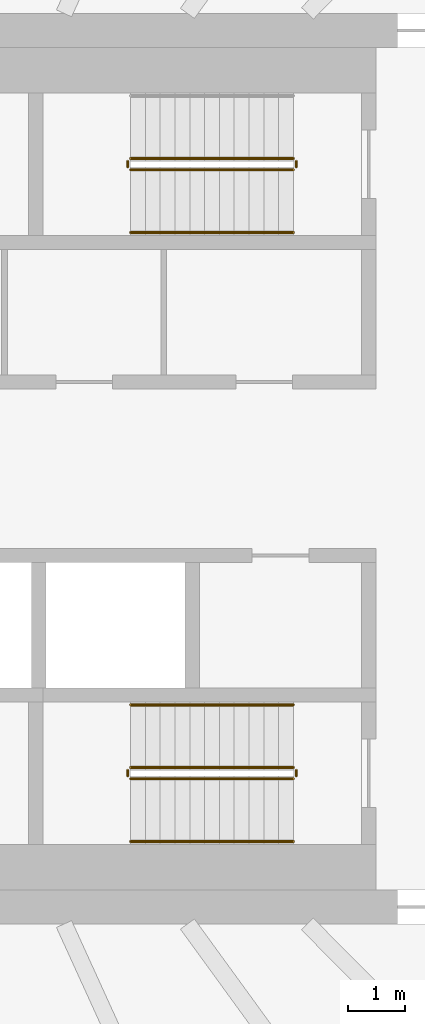
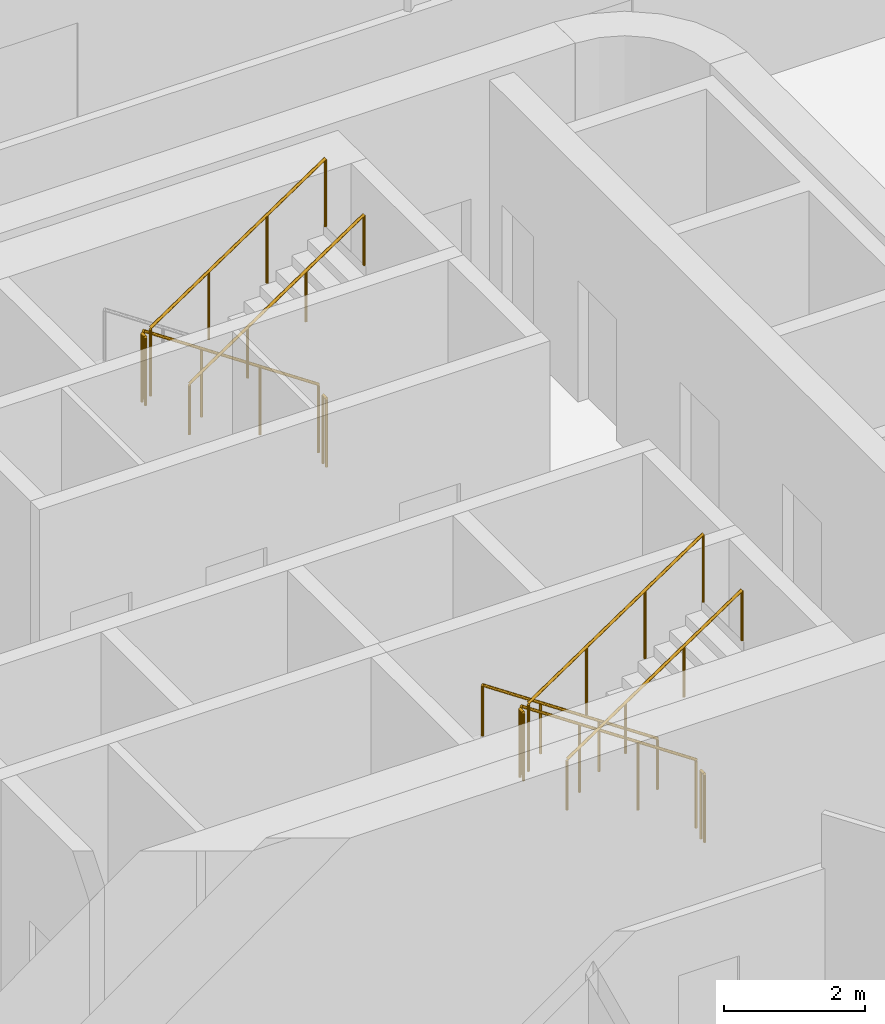
# One storey, part 23 of 25: 11 railings.
"""IFC4 building model written with IfcOpenShell, lengths in metres."""

from ifc_helpers import new_model, si_unit, direction, frame, origin, origin_2d, place, context, subcontext, project, spatial, circle, extrude, material, type_object, element, save


model = new_model("IFC4")

# Units and contexts
model_context = context("Model", 3, precision=1e-05, world=origin(), true_north=direction((0.0, 1.0)))
body_context = subcontext(model_context, "Body", "Model", "MODEL_VIEW")
ifc_project = project(units=[si_unit("LENGTHUNIT", "METRE"), si_unit("AREAUNIT", "SQUARE_METRE"), si_unit("VOLUMEUNIT", "CUBIC_METRE"), si_unit("PLANEANGLEUNIT", "RADIAN"), si_unit("MASSUNIT", "GRAM", prefix="KILO")], contexts=[model_context])

# Site, building, storey
site_placement = place(None, origin())
site = spatial("IfcSite", under=ifc_project, at=site_placement, CompositionType="ELEMENT")
building_placement = place(site_placement, origin())
building = spatial("IfcBuilding", under=site, at=building_placement, Name="Sahrelin Media Tower", CompositionType="ELEMENT")
storey_placement = place(building_placement, frame((0.0, 0.0, 106.199951171875)))
storey = spatial("IfcBuildingStorey", under=building, at=storey_placement, Name="L20", CompositionType="ELEMENT", Elevation=106.199951171875)

# Railings
ifc_material = material(Name="Steel S355", Category="steel")
railing_type_1 = type_object("IfcRailingType", Name="Stair guard 1200", PredefinedType="GUARDRAIL", material=ifc_material)
railing_1_placement = place(storey_placement, frame((7.675048828125, 5.449951171875, 0.175048828125)))
element("IfcRailing", 1, at=railing_1_placement, inside=storey, type_object=railing_type_1, Name="L20 ST3 stair guard 1", PredefinedType="GUARDRAIL", context=body_context, shape_type="SweptSolid", body=[
    extrude(circle(Radius=0.02392578125, at=origin_2d()), frame((0.0, 0.0, 1.17578125), z_axis=(-0.829590901723, 0.0, 0.558371682465), x_axis=(0.0, -1.0, 0.0)), (0.0, 0.0, 1.0), 3.447509765625),
    extrude(circle(Radius=0.02099609375, at=origin_2d()), origin(), (0.0, 0.0, 1.0), 1.15185546875),
    extrude(circle(Radius=0.02099609375, at=origin_2d()), frame((-0.953369140625, 0.0, 0.6416015625)), (0.0, 0.0, 1.0), 1.15185546875),
    extrude(circle(Radius=0.02099609375, at=origin_2d()), frame((-1.90673828125, 0.0, 1.283447265625)), (0.0, 0.0, 1.0), 1.15185546875),
    extrude(circle(Radius=0.02099609375, at=origin_2d()), frame((-2.860107421875, 0.0, 1.925048828125)), (0.0, 0.0, 1.0), 1.15185546875),
])
railing_2_placement = place(storey_placement, frame((4.764892578125, 5.39990234375, 2.10009765625)))
element("IfcRailing", 2, at=railing_2_placement, inside=storey, type_object=railing_type_1, Name="L20 ST3 stair guard 2", PredefinedType="GUARDRAIL", context=body_context, shape_type="SweptSolid", body=[
    extrude(circle(Radius=0.02392578125, at=origin_2d()), frame((0.0, 0.0, 1.17578125), z_axis=(0.0, -1.0, 0.0), x_axis=(1.0, 0.0, 0.0)), (0.0, 0.0, 1.0), 0.099853515625),
    extrude(circle(Radius=0.02099609375, at=origin_2d()), origin(), (0.0, 0.0, 1.0), 1.15185546875),
    extrude(circle(Radius=0.02099609375, at=origin_2d()), frame((0.0, -0.099853515625, 0.0)), (0.0, 0.0, 1.0), 1.15185546875),
])
railing_3_placement = place(storey_placement, frame((4.81494140625, 5.25, 2.275146484375)))
element("IfcRailing", 3, at=railing_3_placement, inside=storey, type_object=railing_type_1, Name="L20 ST3 stair guard 3", PredefinedType="GUARDRAIL", context=body_context, shape_type="SweptSolid", body=[
    extrude(circle(Radius=0.02392578125, at=origin_2d()), frame((0.0, 0.0, 1.17578125), z_axis=(0.829623704247, 0.0, 0.558322943601), x_axis=(0.0, 1.0, 0.0)), (0.0, 0.0, 1.0), 3.447509765625),
    extrude(circle(Radius=0.02099609375, at=origin_2d()), origin(), (0.0, 0.0, 1.0), 1.15185546875),
    extrude(circle(Radius=0.02099609375, at=origin_2d()), frame((0.953369140625, 0.0, 0.6416015625)), (0.0, 0.0, 1.0), 1.15185546875),
    extrude(circle(Radius=0.02099609375, at=origin_2d()), frame((1.90673828125, 0.0, 1.283203125)), (0.0, 0.0, 1.0), 1.15185546875),
    extrude(circle(Radius=0.02099609375, at=origin_2d()), frame((2.860107421875, 0.0, 1.9248046875)), (0.0, 0.0, 1.0), 1.15185546875),
])
railing_4_placement = place(storey_placement, frame((7.72509765625, 5.39990234375, 0.0)))
element("IfcRailing", 4, at=railing_4_placement, inside=storey, type_object=railing_type_1, Name="L20 ST3 stair guard 4", PredefinedType="GUARDRAIL", context=body_context, shape_type="SweptSolid", body=[
    extrude(circle(Radius=0.02392578125, at=origin_2d()), frame((0.0, 0.0, 1.17578125), z_axis=(0.0, -1.0, 0.0), x_axis=(1.0, 0.0, 0.0)), (0.0, 0.0, 1.0), 0.099853515625),
    extrude(circle(Radius=0.02099609375, at=origin_2d()), origin(), (0.0, 0.0, 1.0), 1.15185546875),
    extrude(circle(Radius=0.02099609375, at=origin_2d()), frame((0.0, -0.099853515625, 0.0)), (0.0, 0.0, 1.0), 1.15185546875),
])
railing_5_placement = place(storey_placement, frame((7.675048828125, -5.25, 0.175048828125)))
element("IfcRailing", 5, at=railing_5_placement, inside=storey, type_object=railing_type_1, Name="L20 ST2 stair guard 1", PredefinedType="GUARDRAIL", context=body_context, shape_type="SweptSolid", body=[
    extrude(circle(Radius=0.02392578125, at=origin_2d()), frame((0.0, 0.0, 1.17578125), z_axis=(-0.829590901723, 0.0, 0.558371682465), x_axis=(0.0, -1.0, 0.0)), (0.0, 0.0, 1.0), 3.447509765625),
    extrude(circle(Radius=0.02099609375, at=origin_2d()), origin(), (0.0, 0.0, 1.0), 1.15185546875),
    extrude(circle(Radius=0.02099609375, at=origin_2d()), frame((-0.953369140625, 0.0, 0.6416015625)), (0.0, 0.0, 1.0), 1.15185546875),
    extrude(circle(Radius=0.02099609375, at=origin_2d()), frame((-1.90673828125, 0.0, 1.283447265625)), (0.0, 0.0, 1.0), 1.15185546875),
    extrude(circle(Radius=0.02099609375, at=origin_2d()), frame((-2.860107421875, 0.0, 1.925048828125)), (0.0, 0.0, 1.0), 1.15185546875),
])
railing_6_placement = place(storey_placement, frame((4.764892578125, -5.300048828125, 2.10009765625)))
element("IfcRailing", 6, at=railing_6_placement, inside=storey, type_object=railing_type_1, Name="L20 ST2 stair guard 2", PredefinedType="GUARDRAIL", context=body_context, shape_type="SweptSolid", body=[
    extrude(circle(Radius=0.02392578125, at=origin_2d()), frame((0.0, 0.0, 1.17578125), z_axis=(0.0, -1.0, 0.0), x_axis=(1.0, 0.0, 0.0)), (0.0, 0.0, 1.0), 0.099853515625),
    extrude(circle(Radius=0.02099609375, at=origin_2d()), origin(), (0.0, 0.0, 1.0), 1.15185546875),
    extrude(circle(Radius=0.02099609375, at=origin_2d()), frame((0.0, -0.099853515625, 0.0)), (0.0, 0.0, 1.0), 1.15185546875),
])
railing_7_placement = place(storey_placement, frame((4.81494140625, -5.449951171875, 2.275146484375)))
element("IfcRailing", 7, at=railing_7_placement, inside=storey, type_object=railing_type_1, Name="L20 ST2 stair guard 3", PredefinedType="GUARDRAIL", context=body_context, shape_type="SweptSolid", body=[
    extrude(circle(Radius=0.02392578125, at=origin_2d()), frame((0.0, 0.0, 1.17578125), z_axis=(0.829623704247, 0.0, 0.558322943601), x_axis=(0.0, 1.0, 0.0)), (0.0, 0.0, 1.0), 3.447509765625),
    extrude(circle(Radius=0.02099609375, at=origin_2d()), origin(), (0.0, 0.0, 1.0), 1.15185546875),
    extrude(circle(Radius=0.02099609375, at=origin_2d()), frame((0.953369140625, 0.0, 0.6416015625)), (0.0, 0.0, 1.0), 1.15185546875),
    extrude(circle(Radius=0.02099609375, at=origin_2d()), frame((1.90673828125, 0.0, 1.283203125)), (0.0, 0.0, 1.0), 1.15185546875),
    extrude(circle(Radius=0.02099609375, at=origin_2d()), frame((2.860107421875, 0.0, 1.9248046875)), (0.0, 0.0, 1.0), 1.15185546875),
])
railing_8_placement = place(storey_placement, frame((7.72509765625, -5.300048828125, 0.0)))
element("IfcRailing", 8, at=railing_8_placement, inside=storey, type_object=railing_type_1, Name="L20 ST2 stair guard 4", PredefinedType="GUARDRAIL", context=body_context, shape_type="SweptSolid", body=[
    extrude(circle(Radius=0.02392578125, at=origin_2d()), frame((0.0, 0.0, 1.17578125), z_axis=(0.0, -1.0, 0.0), x_axis=(1.0, 0.0, 0.0)), (0.0, 0.0, 1.0), 0.099853515625),
    extrude(circle(Radius=0.02099609375, at=origin_2d()), origin(), (0.0, 0.0, 1.0), 1.15185546875),
    extrude(circle(Radius=0.02099609375, at=origin_2d()), frame((0.0, -0.099853515625, 0.0)), (0.0, 0.0, 1.0), 1.15185546875),
])
railing_type_2 = type_object("IfcRailingType", Name="Stair handrail 900", PredefinedType="HANDRAIL", material=ifc_material)
railing_9_placement = place(storey_placement, frame((4.81494140625, 4.14990234375, 2.275146484375)))
element("IfcRailing", 9, at=railing_9_placement, inside=storey, type_object=railing_type_2, Name="L20 ST3 stair handrail 2", PredefinedType="HANDRAIL", context=body_context, shape_type="SweptSolid", body=[
    extrude(circle(Radius=0.02392578125, at=origin_2d()), frame((0.0, 0.0, 0.8759765625), z_axis=(0.829623704247, 0.0, 0.558322943601), x_axis=(0.0, 1.0, 0.0)), (0.0, 0.0, 1.0), 3.447509765625),
    extrude(circle(Radius=0.02099609375, at=origin_2d()), origin(), (0.0, 0.0, 1.0), 0.851806640625),
    extrude(circle(Radius=0.02099609375, at=origin_2d()), frame((0.953369140625, 0.0, 0.6416015625)), (0.0, 0.0, 1.0), 0.851806640625),
    extrude(circle(Radius=0.02099609375, at=origin_2d()), frame((1.90673828125, 0.0, 1.283203125)), (0.0, 0.0, 1.0), 0.851806640625),
    extrude(circle(Radius=0.02099609375, at=origin_2d()), frame((2.860107421875, 0.0, 1.9248046875)), (0.0, 0.0, 1.0), 0.851806640625),
])
railing_10_placement = place(storey_placement, frame((7.675048828125, -4.14990234375, 0.175048828125)))
element("IfcRailing", 10, at=railing_10_placement, inside=storey, type_object=railing_type_2, Name="L20 ST2 stair handrail 1", PredefinedType="HANDRAIL", context=body_context, shape_type="SweptSolid", body=[
    extrude(circle(Radius=0.02392578125, at=origin_2d()), frame((0.0, 0.0, 0.8759765625), z_axis=(-0.829590901723, 0.0, 0.558371682465), x_axis=(0.0, -1.0, 0.0)), (0.0, 0.0, 1.0), 3.447509765625),
    extrude(circle(Radius=0.02099609375, at=origin_2d()), origin(), (0.0, 0.0, 1.0), 0.851806640625),
    extrude(circle(Radius=0.02099609375, at=origin_2d()), frame((-0.953369140625, 0.0, 0.6416015625)), (0.0, 0.0, 1.0), 0.851806640625),
    extrude(circle(Radius=0.02099609375, at=origin_2d()), frame((-1.90673828125, 0.0, 1.283447265625)), (0.0, 0.0, 1.0), 0.851806640625),
    extrude(circle(Radius=0.02099609375, at=origin_2d()), frame((-2.860107421875, 0.0, 1.925048828125)), (0.0, 0.0, 1.0), 0.851806640625),
])
railing_11_placement = place(storey_placement, frame((4.81494140625, -6.550048828125, 2.275146484375)))
element("IfcRailing", 11, at=railing_11_placement, inside=storey, type_object=railing_type_2, Name="L20 ST2 stair handrail 2", PredefinedType="HANDRAIL", context=body_context, shape_type="SweptSolid", body=[
    extrude(circle(Radius=0.02392578125, at=origin_2d()), frame((0.0, 0.0, 0.8759765625), z_axis=(0.829623704247, 0.0, 0.558322943601), x_axis=(0.0, 1.0, 0.0)), (0.0, 0.0, 1.0), 3.447509765625),
    extrude(circle(Radius=0.02099609375, at=origin_2d()), origin(), (0.0, 0.0, 1.0), 0.851806640625),
    extrude(circle(Radius=0.02099609375, at=origin_2d()), frame((0.953369140625, 0.0, 0.6416015625)), (0.0, 0.0, 1.0), 0.851806640625),
    extrude(circle(Radius=0.02099609375, at=origin_2d()), frame((1.90673828125, 0.0, 1.283203125)), (0.0, 0.0, 1.0), 0.851806640625),
    extrude(circle(Radius=0.02099609375, at=origin_2d()), frame((2.860107421875, 0.0, 1.9248046875)), (0.0, 0.0, 1.0), 0.851806640625),
])

save(model, "model.ifc")
